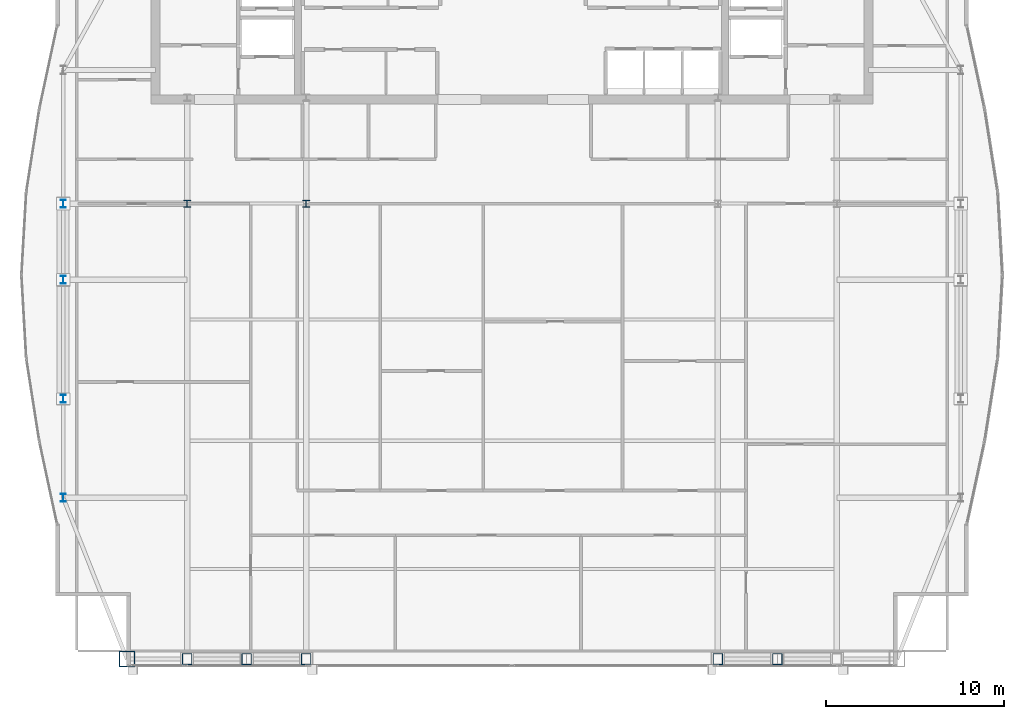
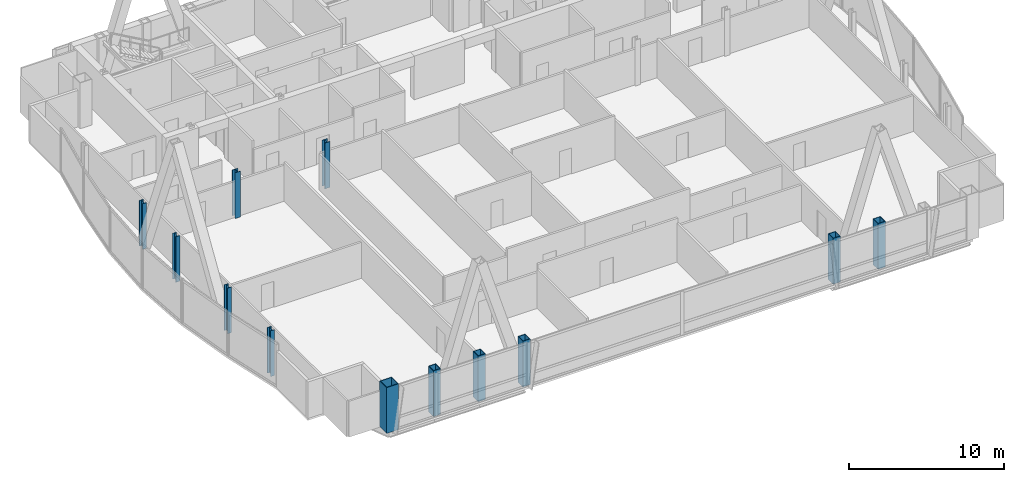
# One storey, part 1 of 29: 12 columns.
"""IFC4 building model written with IfcOpenShell, lengths in metres."""

from ifc_helpers import new_model, si_unit, direction, frame, origin, origin_2d, place, context, subcontext, project, spatial, hollow_rectangle, i_section, extrude, material, material_profile, profile_set, type_object, element, save


model = new_model("IFC4")

# Units and contexts
model_context = context("Model", 3, precision=1e-05, world=origin(), true_north=direction((0.0, 1.0)))
body_context = subcontext(model_context, "Body", "Model", "MODEL_VIEW")
ifc_project = project(units=[si_unit("LENGTHUNIT", "METRE"), si_unit("AREAUNIT", "SQUARE_METRE"), si_unit("VOLUMEUNIT", "CUBIC_METRE"), si_unit("PLANEANGLEUNIT", "RADIAN"), si_unit("MASSUNIT", "GRAM", prefix="KILO")], contexts=[model_context])

# Site, building, storey
site_placement = place(None, origin())
site = spatial("IfcSite", under=ifc_project, at=site_placement, CompositionType="ELEMENT")
building_placement = place(site_placement, origin())
building = spatial("IfcBuilding", under=site, at=building_placement, Name="Khoronbel Lancet Exchange", CompositionType="ELEMENT")
storey_placement = place(building_placement, frame((0.0, 0.0, 314.60009765625)))
storey = spatial("IfcBuildingStorey", under=building, at=storey_placement, Name="L81", CompositionType="ELEMENT", Elevation=314.60009765625)

# Columns
ifc_material_1 = material(Name="Steel S460", Category="steel")
ifc_material_profile_1 = material_profile(ifc_material_1, hollow_rectangle(XDim=0.550048828125, YDim=0.64990234375, WallThickness=0.0400390625, at=origin_2d()), Name="BOX 650x550x40")
ifc_profile_set_1 = profile_set([ifc_material_profile_1], Name="Steel S460")
column_type_1 = type_object("IfcColumnType", Name="COL-EC4", PredefinedType="COLUMN", material=ifc_profile_set_1)
for number, where, z_axis, x_axis, name in (
    (1, (18.22509765625, 10.14990234375, 0.0), (0.0, 0.0, 1.0), (1.0, 0.0, 0.0), "Structural column SC-W1 L81"),
    (2, (21.5625, 10.14990234375, 0.0), (0.0, 0.0, 1.0), (1.0, 0.0, 0.0), "Structural column SC-WM L81"),
    (3, (24.89990234375, 10.14990234375, 0.0), (0.0, 0.0, 1.0), (1.0, 0.0, 0.0), "Structural column SC-W2 L81"),
    (4, (48.0, 10.14990234375, 0.0), (0.0, 0.0, 1.0), (1.0, 0.0, 0.0), "Structural column SC-E1 L81"),
    (5, (51.33740234375, 10.14990234375, 0.0), (0.0, 0.0, 1.0), (1.0, 0.0, 0.0), "Structural column SC-EM L81"),
):
    element("IfcColumn", number, at=place(storey_placement, frame(where, z_axis=z_axis, x_axis=x_axis)), inside=storey, type_object=column_type_1, Name=name, PredefinedType="COLUMN", context=body_context, shape_type="SweptSolid", body=[
        extrude(hollow_rectangle(XDim=0.550048828125, YDim=0.64990234375, WallThickness=0.0400390625, at=origin_2d()), origin(), (0.0, 0.0, 1.0), 3.599853515625),
    ])
ifc_material_2 = material(Name="Steel S355", Category="steel")
ifc_material_profile_2 = material_profile(ifc_material_2, i_section(OverallWidth=0.39892578125, OverallDepth=0.39306640625, WebThickness=0.022705078125, FlangeThickness=0.03662109375, at=origin_2d()), Name="HD 400x287")
ifc_profile_set_2 = profile_set([ifc_material_profile_2], Name="Steel S355")
column_type_2 = type_object("IfcColumnType", Name="COL-IC4", PredefinedType="COLUMN", material=ifc_profile_set_2)
for number, where, z_axis, x_axis, name in (
    (6, (18.22509765625, 35.699951171875, 0.0), (0.0, 0.0, 1.0), (1.0, 0.0, 0.0), "Spine gravity column TC1 L81"),
    (7, (24.89990234375, 35.699951171875, 0.0), (0.0, 0.0, 1.0), (1.0, 0.0, 0.0), "Spine gravity column TC2 L81"),
):
    element("IfcColumn", number, at=place(storey_placement, frame(where, z_axis=z_axis, x_axis=x_axis)), inside=storey, type_object=column_type_2, Name=name, PredefinedType="COLUMN", context=body_context, shape_type="SweptSolid", body=[
        extrude(i_section(OverallWidth=0.39892578125, OverallDepth=0.39306640625, WebThickness=0.022705078125, FlangeThickness=0.03662109375, at=origin_2d()), origin(), (0.0, 0.0, 1.0), 3.599853515625),
    ])
ifc_material_profile_3 = material_profile(ifc_material_2, i_section(OverallWidth=0.300048828125, OverallDepth=0.449951171875, WebThickness=0.013916015625, FlangeThickness=0.02587890625, at=origin_2d()), Name="HEB 450")
ifc_profile_set_3 = profile_set([ifc_material_profile_3], Name="Steel S355")
column_type_3 = type_object("IfcColumnType", Name="COL-LC2", PredefinedType="COLUMN", material=ifc_profile_set_3)
for number, where, z_axis, x_axis, name in (
    (8, (11.27001953125, 19.199951171875, 0.0), (0.0, 0.0, 1.0), (1.0, 0.0, 0.0), "Structural column WC-1 L81"),
    (9, (11.27001953125, 24.75, 0.0), (0.0, 0.0, 1.0), (1.0, 0.0, 0.0), "Structural column WC-2 L81"),
    (10, (11.27001953125, 31.425048828125, 0.0), (0.0, 0.0, 1.0), (1.0, 0.0, 0.0), "Structural column WC-M L81"),
    (11, (11.27001953125, 35.699951171875, 0.0), (0.0, 0.0, 1.0), (1.0, 0.0, 0.0), "Structural column WC-3 L81"),
):
    element("IfcColumn", number, at=place(storey_placement, frame(where, z_axis=z_axis, x_axis=x_axis)), inside=storey, type_object=column_type_3, Name=name, PredefinedType="COLUMN", context=body_context, shape_type="SweptSolid", body=[
        extrude(i_section(OverallWidth=0.300048828125, OverallDepth=0.449951171875, WebThickness=0.013916015625, FlangeThickness=0.02587890625, at=origin_2d()), origin(), (0.0, 0.0, 1.0), 3.599853515625),
    ])
ifc_material_profile_4 = material_profile(ifc_material_1, hollow_rectangle(XDim=0.89990234375, YDim=0.89990234375, WallThickness=0.050048828125, at=origin_2d()), Name="BOX 900x900x50")
ifc_profile_set_4 = profile_set([ifc_material_profile_4], Name="Steel S460")
column_type_4 = type_object("IfcColumnType", Name="COL-MC7", PredefinedType="COLUMN", material=ifc_profile_set_4)
column_placement = place(storey_placement, frame((14.85009765625, 10.14990234375, 0.0), z_axis=(0.0, 0.0, 1.0), x_axis=(1.0, 0.0, 0.0)))
element("IfcColumn", 12, at=column_placement, inside=storey, type_object=column_type_4, Name="Structural column MC-SW L81", PredefinedType="COLUMN", context=body_context, shape_type="SweptSolid", body=[
    extrude(hollow_rectangle(XDim=0.89990234375, YDim=0.89990234375, WallThickness=0.050048828125, at=origin_2d()), origin(), (0.0, 0.0, 1.0), 3.599853515625),
])

save(model, "model.ifc")
